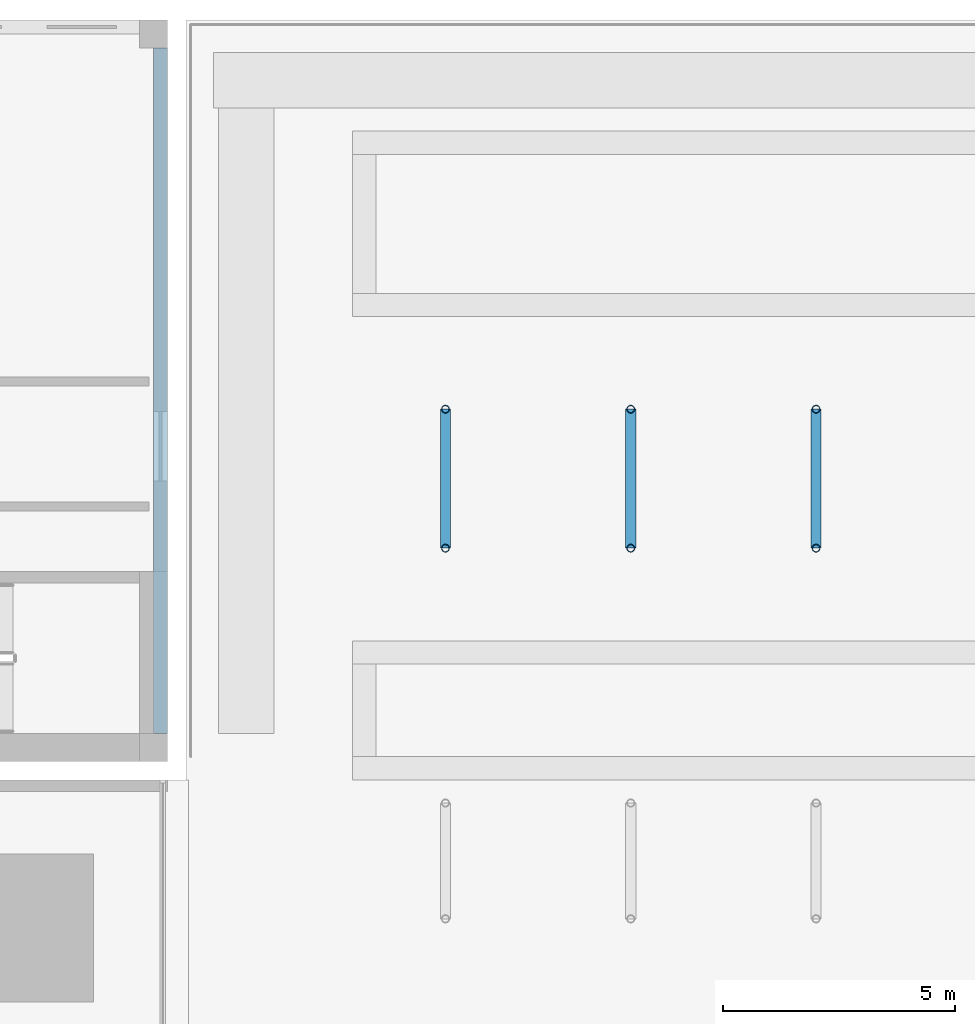
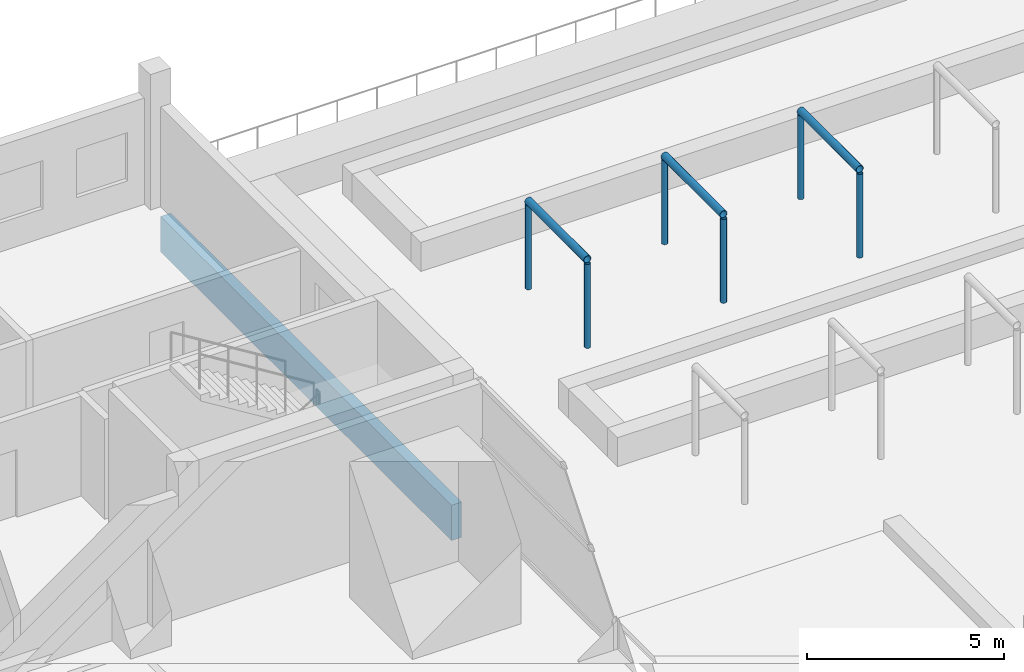
# One storey, part 14 of 34: 9 members, 1 beam.
"""IFC4 building model written with IfcOpenShell, lengths in metres."""

from ifc_helpers import new_model, si_unit, direction, frame, origin, origin_2d, place, context, subcontext, project, spatial, rectangle, hollow_circle, extrude, material, material_profile, profile_set, type_object, element, save


model = new_model("IFC4")

# Units and contexts
model_context = context("Model", 3, precision=1e-05, world=origin(), true_north=direction((0.0, 1.0)))
body_context = subcontext(model_context, "Body", "Model", "MODEL_VIEW")
ifc_project = project(units=[si_unit("LENGTHUNIT", "METRE"), si_unit("AREAUNIT", "SQUARE_METRE"), si_unit("VOLUMEUNIT", "CUBIC_METRE"), si_unit("PLANEANGLEUNIT", "RADIAN"), si_unit("MASSUNIT", "GRAM", prefix="KILO")], contexts=[model_context])

# Site, building, storey
site_placement = place(None, origin())
site = spatial("IfcSite", under=ifc_project, at=site_placement, CompositionType="ELEMENT")
building_placement = place(site_placement, origin())
building = spatial("IfcBuilding", under=site, at=building_placement, Name="Amberfall Residences", CompositionType="ELEMENT")
storey_placement = place(building_placement, frame((0.0, 0.0, 5.5)))
storey = spatial("IfcBuildingStorey", under=building, at=storey_placement, Name="L01", CompositionType="ELEMENT", Elevation=5.5)

# Members
ifc_material_1 = material(Name="Steel S355", Category="steel")
ifc_material_profile_1 = material_profile(ifc_material_1, hollow_circle(Radius=0.109619140625, WallThickness=0.010009765625, at=origin_2d()), Name="CHS 219.1x10")
ifc_profile_set_1 = profile_set([ifc_material_profile_1], Name="Steel S355")
member_type_1 = type_object("IfcMemberType", Name="Pergola beam CHS 219.1x10", PredefinedType="STRUT", material=ifc_profile_set_1)
for number, where, z_axis, x_axis, name in (
    (1, (106.0, 73.0, 2.70947265625), (0.0, 1.0, 0.0), (-1.0, 0.0, 0.0), "Pergola beam B1"),
    (2, (110.0, 73.0, 2.70947265625), (0.0, 1.0, 0.0), (-1.0, 0.0, 0.0), "Pergola beam B2"),
    (3, (114.0, 73.0, 2.70947265625), (0.0, 1.0, 0.0), (-1.0, 0.0, 0.0), "Pergola beam B3"),
):
    element("IfcMember", number, at=place(storey_placement, frame(where, z_axis=z_axis, x_axis=x_axis)), inside=storey, type_object=member_type_1, Name=name, PredefinedType="STRUT", context=body_context, shape_type="SweptSolid", body=[
        extrude(hollow_circle(Radius=0.109619140625, WallThickness=0.010009765625, at=origin_2d()), origin(), (0.0, 0.0, 1.0), 3.0),
    ])
ifc_material_profile_2 = material_profile(ifc_material_1, hollow_circle(Radius=0.084228515625, WallThickness=0.008056640625, at=origin_2d()), Name="CHS 168.3x8")
ifc_profile_set_2 = profile_set([ifc_material_profile_2], Name="Steel S355")
member_type_2 = type_object("IfcMemberType", Name="Pergola post CHS 168.3x8", PredefinedType="POST", material=ifc_profile_set_2)
for number, where, z_axis, x_axis, name in (
    (4, (106.0, 73.0, 0.0), (0.0, 0.0, 1.0), (1.0, 0.0, 0.0), "Pergola post B1"),
    (5, (106.0, 76.0, 0.0), (0.0, 0.0, 1.0), (1.0, 0.0, 0.0), "Pergola post B1"),
    (6, (110.0, 73.0, 0.0), (0.0, 0.0, 1.0), (1.0, 0.0, 0.0), "Pergola post B2"),
    (7, (110.0, 76.0, 0.0), (0.0, 0.0, 1.0), (1.0, 0.0, 0.0), "Pergola post B2"),
    (8, (114.0, 73.0, 0.0), (0.0, 0.0, 1.0), (1.0, 0.0, 0.0), "Pergola post B3"),
    (9, (114.0, 76.0, 0.0), (0.0, 0.0, 1.0), (1.0, 0.0, 0.0), "Pergola post B3"),
):
    element("IfcMember", number, at=place(storey_placement, frame(where, z_axis=z_axis, x_axis=x_axis)), inside=storey, type_object=member_type_2, Name=name, PredefinedType="POST", context=body_context, shape_type="SweptSolid", body=[
        extrude(hollow_circle(Radius=0.084228515625, WallThickness=0.008056640625, at=origin_2d()), origin(), (0.0, 0.0, 1.0), 2.60009765625),
    ])

# Beam
ifc_material_2 = material(Name="Concrete C40", Category="concrete")
ifc_material_profile_3 = material_profile(ifc_material_2, rectangle(XDim=0.300048828125, YDim=1.10009765625, at=origin_2d()), Name="School end beam 300 x 1100 C40")
ifc_profile_set_3 = profile_set([ifc_material_profile_3], Name="Concrete C40")
beam_type = type_object("IfcBeamType", Name="School end beam 300 x 1100 C40", PredefinedType="BEAM", material=ifc_profile_set_3)
beam_placement = place(storey_placement, frame((99.85009765625, 69.0, -0.85009765625), z_axis=(0.0, 1.0, 0.0), x_axis=(-1.0, 0.0, 0.0)))
element("IfcBeam", 10, at=beam_placement, inside=storey, type_object=beam_type, Name="EE", PredefinedType="BEAM", context=body_context, shape_type="SweptSolid", body=[
    extrude(rectangle(XDim=0.300048828125, YDim=1.10009765625, at=origin_2d()), origin(), (0.0, 0.0, 1.0), 14.800048828125),
])

save(model, "model.ifc")
